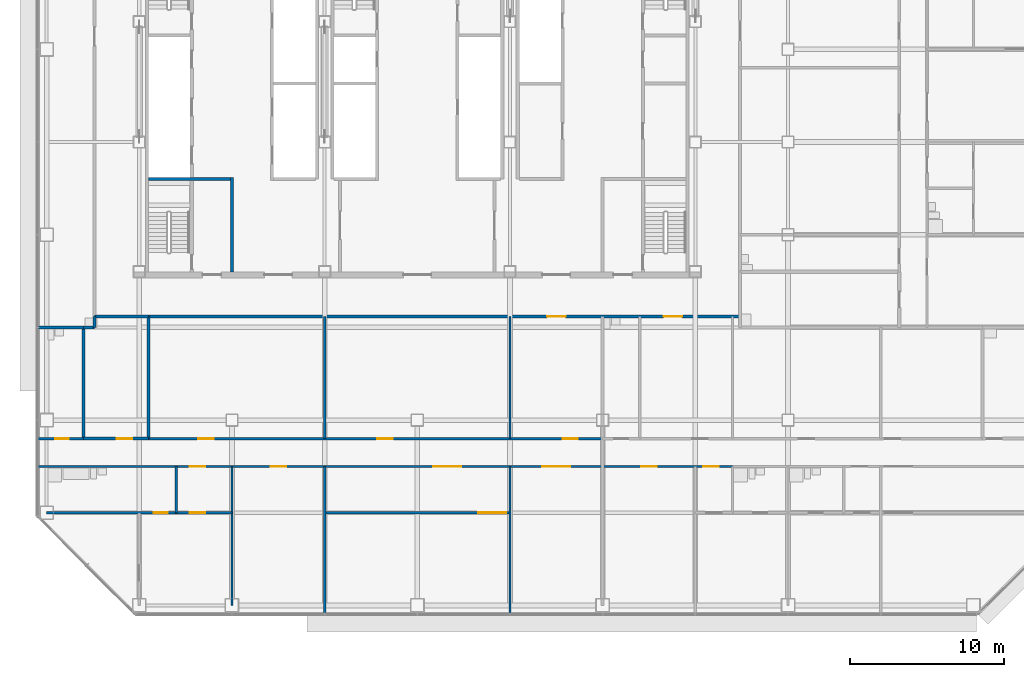
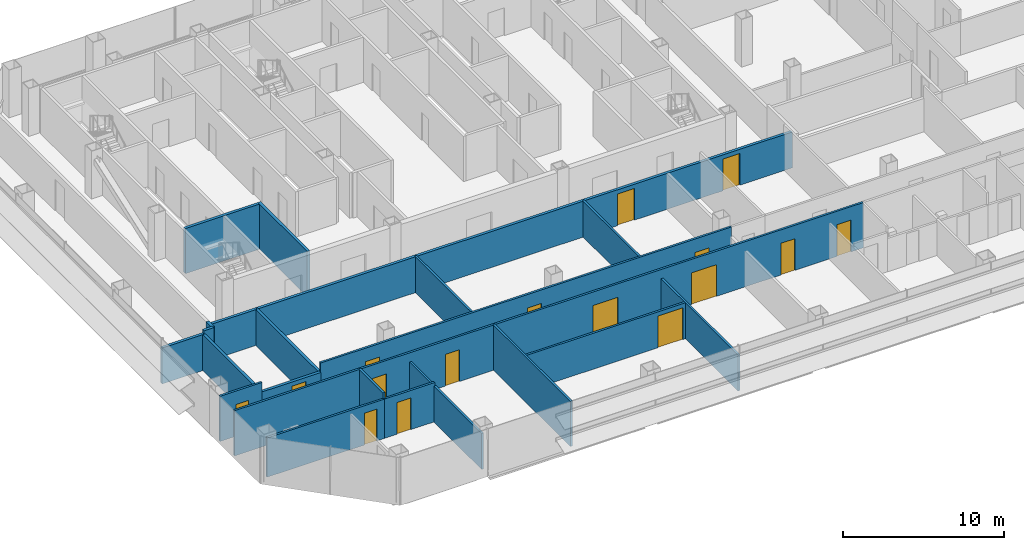
# One storey, part 20 of 27: 23 walls, 16 doors, 16 openings.
"""IFC4 building model written with IfcOpenShell, lengths in metres."""

from ifc_helpers import new_model, si_unit, direction, frame, frame_2d, origin, place, context, subcontext, project, spatial, rectangle, extrude, material, layer, layer_set, type_object, element, fill, save


model = new_model("IFC4")

# Units and contexts
model_context = context("Model", 3, precision=1e-05, world=origin(), true_north=direction((0.0, 1.0)))
body_context = subcontext(model_context, "Body", "Model", "MODEL_VIEW")
ifc_project = project(units=[si_unit("LENGTHUNIT", "METRE"), si_unit("AREAUNIT", "SQUARE_METRE"), si_unit("VOLUMEUNIT", "CUBIC_METRE"), si_unit("PLANEANGLEUNIT", "RADIAN"), si_unit("MASSUNIT", "GRAM", prefix="KILO")], contexts=[model_context])

# Site, building, storey
site_placement = place(None, origin())
site = spatial("IfcSite", under=ifc_project, at=site_placement, CompositionType="ELEMENT")
building_placement = place(site_placement, origin())
building = spatial("IfcBuilding", under=site, at=building_placement, Name="Sorahane Residences", CompositionType="ELEMENT")
storey_placement = place(building_placement, frame((0.0, 0.0, 57.0)))
storey = spatial("IfcBuildingStorey", under=building, at=storey_placement, Name="L10", CompositionType="ELEMENT", Elevation=57.0)

# Wall
ifc_material_1 = material(Name="Concrete blockwork C20 wall", Category="masonry")
ifc_layer_1 = layer(ifc_material_1, 0.199951171875)
ifc_layer_set_1 = layer_set([ifc_layer_1], Name="Corridor wall 200 EI 120")
wall_type_1 = type_object("IfcWallType", Name="Corridor wall 200 EI 120", PredefinedType="SOLIDWALL", material=ifc_layer_set_1)
wall_1_placement = place(storey_placement, frame((-0.60009765625, 18.0, 0.0), z_axis=(0.0, 0.0, 1.0), x_axis=(1.0, 0.0, 0.0)))
element("IfcWall", 1, at=wall_1_placement, inside=storey, type_object=wall_type_1, Name="L10 corridor wall", PredefinedType="SOLIDWALL", context=body_context, shape_type="SweptSolid", body=[
    extrude(rectangle(XDim=3.0, YDim=0.199951171875, at=frame_2d((1.5, 0.0))), origin(), (0.0, 0.0, 1.0), 2.719970703125),
])

# Wall, openings, doors
wall_2_placement = place(storey_placement, frame((6.60009765625, 18.699951171875, 0.0), z_axis=(0.0, 0.0, 1.0), x_axis=(1.0, 0.0, 0.0)))
wall_2 = element("IfcWall", 2, at=wall_2_placement, inside=storey, type_object=wall_type_1, Name="L10 corridor wall", PredefinedType="SOLIDWALL", context=body_context, shape_type="SweptSolid", body=[
    extrude(rectangle(XDim=38.2998046875, YDim=0.199951171875, at=frame_2d((19.14990234375, 0.0))), origin(), (0.0, 0.0, 1.0), 2.719970703125),
])
opening_1_placement = place(wall_2_placement, frame((25.800048828125, 0.0, 0.0)))
opening_1 = element("IfcOpeningElement", 3, at=opening_1_placement, cuts=wall_2, Name="Opening L10-40", PredefinedType="OPENING", context=body_context, shape_type="SweptSolid", body=[
    extrude(rectangle(XDim=1.199951171875, YDim=2.39990234375, at=frame_2d((0.60009765625, 1.199951171875))), frame((0.0, 0.10986328125, 0.0), z_axis=(0.0, -1.0, 0.0), x_axis=(1.0, 0.0, 0.0)), (0.0, 0.0, 1.0), 0.219970703125),
])
opening_2_placement = place(wall_2_placement, frame((33.340087890625, 0.0, 0.0)))
opening_2 = element("IfcOpeningElement", 4, at=opening_2_placement, cuts=wall_2, Name="Opening L10-41", PredefinedType="OPENING", context=body_context, shape_type="SweptSolid", body=[
    extrude(rectangle(XDim=1.199951171875, YDim=2.39990234375, at=frame_2d((0.60009765625, 1.199951171875))), frame((0.0, 0.10986328125, 0.0), z_axis=(0.0, -1.0, 0.0), x_axis=(1.0, 0.0, 0.0)), (0.0, 0.0, 1.0), 0.219970703125),
])
ifc_material_2 = material(Name="Timber veneered fire door", Category="wood")
door_type_1 = type_object("IfcDoorType", Name="Flat entrance door 1200x2400 FD60", OperationType="NOTDEFINED", PredefinedType="DOOR", material=ifc_material_2)
door_1_placement = place(opening_1_placement, frame((1.199951171875, 0.0, 0.0), z_axis=(0.0, 0.0, 1.0), x_axis=(-1.0, 0.0, 0.0)))
door_1 = element("IfcDoor", 5, at=door_1_placement, inside=storey, type_object=door_type_1, Name="Flat entrance door L10-40", OperationType="SINGLE_SWING_RIGHT", OverallHeight=2.39990234375, OverallWidth=1.199951171875, PredefinedType="DOOR", context=body_context, shape_type="SweptSolid", body=[
    extrude(rectangle(XDim=1.199951171875, YDim=2.39990234375, at=frame_2d((0.60009765625, 1.199951171875))), frame((0.0, 0.02490234375, 0.0), z_axis=(0.0, -1.0, 0.0), x_axis=(1.0, 0.0, 0.0)), (0.0, 0.0, 1.0), 0.050048828125),
])
fill(opening_1, door_1)
door_2_placement = place(opening_2_placement, frame((1.199951171875, 0.0, 0.0), z_axis=(0.0, 0.0, 1.0), x_axis=(-1.0, 0.0, 0.0)))
door_2 = element("IfcDoor", 6, at=door_2_placement, inside=storey, type_object=door_type_1, Name="Flat entrance door L10-41", OperationType="SINGLE_SWING_RIGHT", OverallHeight=2.39990234375, OverallWidth=1.199951171875, PredefinedType="DOOR", context=body_context, shape_type="SweptSolid", body=[
    extrude(rectangle(XDim=1.199951171875, YDim=2.39990234375, at=frame_2d((0.60009765625, 1.199951171875))), frame((0.0, 0.02490234375, 0.0), z_axis=(0.0, -1.0, 0.0), x_axis=(1.0, 0.0, 0.0)), (0.0, 0.0, 1.0), 0.050048828125),
])
fill(opening_2, door_2)

# Walls
ifc_material_3 = material(Name="Concrete C30", Category="concrete")
ifc_layer_2 = layer(ifc_material_3, 0.199951171875)
ifc_layer_set_2 = layer_set([ifc_layer_2], Name="Front room wall 200 EI 120")
wall_type_2 = type_object("IfcWallType", Name="Front room wall 200 EI 120", PredefinedType="PARTITIONING", material=ifc_layer_set_2)
wall_3_placement = place(storey_placement, frame((12.0, 21.60009765625, 0.0), z_axis=(0.0, 0.0, 1.0), x_axis=(0.0, 1.0, 0.0)))
element("IfcWall", 7, at=wall_3_placement, inside=storey, type_object=wall_type_2, Name="L10 front room wall", PredefinedType="PARTITIONING", context=body_context, shape_type="SweptSolid", body=[
    extrude(rectangle(XDim=6.099853515625, YDim=0.199951171875, at=frame_2d((3.0498046875, 0.0))), origin(), (0.0, 0.0, 1.0), 3.419921875),
])
ifc_material_4 = material(Name="Concrete blockwork C20 wall", Category="masonry")
ifc_layer_3 = layer(ifc_material_4, 0.199951171875)
ifc_layer_set_3 = layer_set([ifc_layer_3], Name="Kitchen wall 200 EI 180")
wall_type_3 = type_object("IfcWallType", Name="Kitchen wall 200 EI 180", PredefinedType="SOLIDWALL", material=ifc_layer_set_3)
wall_4_placement = place(storey_placement, frame((2.39990234375, 10.800048828125, 0.0), z_axis=(0.0, 0.0, 1.0), x_axis=(0.0, 1.0, 0.0)))
element("IfcWall", 8, at=wall_4_placement, inside=storey, type_object=wall_type_3, Name="L10 kitchen wall", PredefinedType="SOLIDWALL", context=body_context, shape_type="SweptSolid", body=[
    extrude(rectangle(XDim=7.199951171875, YDim=0.199951171875, at=frame_2d((3.60009765625, 0.0))), origin(), (0.0, 0.0, 1.0), 2.719970703125),
])
wall_5_placement = place(storey_placement, frame((3.10009765625, 18.0, 0.0), z_axis=(0.0, 0.0, 1.0), x_axis=(0.0, 1.0, 0.0)))
element("IfcWall", 9, at=wall_5_placement, inside=storey, type_object=wall_type_3, Name="L10 kitchen wall", PredefinedType="SOLIDWALL", context=body_context, shape_type="SweptSolid", body=[
    extrude(rectangle(XDim=0.699951171875, YDim=0.199951171875, at=frame_2d((0.35009765625, 0.0))), origin(), (0.0, 0.0, 1.0), 2.969970703125),
])
wall_6_placement = place(storey_placement, frame((6.60009765625, 10.800048828125, 0.0), z_axis=(0.0, 0.0, 1.0), x_axis=(0.0, 1.0, 0.0)))
element("IfcWall", 10, at=wall_6_placement, inside=storey, type_object=wall_type_3, Name="L10 kitchen wall", PredefinedType="SOLIDWALL", context=body_context, shape_type="SweptSolid", body=[
    extrude(rectangle(XDim=7.89990234375, YDim=0.199951171875, at=frame_2d((3.949951171875, 0.0))), origin(), (0.0, 0.0, 1.0), 2.719970703125),
])

# Wall, opening, door
wall_7_placement = place(storey_placement, frame((2.39990234375, 10.800048828125, 0.0), z_axis=(0.0, 0.0, 1.0), x_axis=(1.0, 0.0, 0.0)))
wall_7 = element("IfcWall", 11, at=wall_7_placement, inside=storey, type_object=wall_type_3, Name="L10 kitchen wall", PredefinedType="SOLIDWALL", context=body_context, shape_type="SweptSolid", body=[
    extrude(rectangle(XDim=4.2001953125, YDim=0.199951171875, at=frame_2d((2.10009765625, 0.0))), origin(), (0.0, 0.0, 1.0), 2.719970703125),
])
opening_3_placement = place(wall_7_placement, frame((2.139892578125, 0.0, 0.0)))
opening_3 = element("IfcOpeningElement", 12, at=opening_3_placement, cuts=wall_7, Name="Opening L10-03", PredefinedType="OPENING", context=body_context, shape_type="SweptSolid", body=[
    extrude(rectangle(XDim=1.0, YDim=2.39990234375, at=frame_2d((0.5, 1.199951171875))), frame((0.0, 0.10986328125, 0.0), z_axis=(0.0, -1.0, 0.0), x_axis=(1.0, 0.0, 0.0)), (0.0, 0.0, 1.0), 0.219970703125),
])
ifc_material_5 = material(Name="Steel", Category="steel")
door_type_2 = type_object("IfcDoorType", Name="Kitchen door 1000x2400 FD120", OperationType="NOTDEFINED", PredefinedType="DOOR", material=ifc_material_5)
door_3_placement = place(opening_3_placement, origin())
door_3 = element("IfcDoor", 13, at=door_3_placement, inside=storey, type_object=door_type_2, Name="Kitchen door L10-03", OperationType="SINGLE_SWING_LEFT", OverallHeight=2.39990234375, OverallWidth=1.0, PredefinedType="DOOR", context=body_context, shape_type="SweptSolid", body=[
    extrude(rectangle(XDim=1.0, YDim=2.39990234375, at=frame_2d((0.5, 1.199951171875))), frame((0.0, 0.02490234375, 0.0), z_axis=(0.0, -1.0, 0.0), x_axis=(1.0, 0.0, 0.0)), (0.0, 0.0, 1.0), 0.050048828125),
])
fill(opening_3, door_3)

# Walls
wall_8_placement = place(storey_placement, frame((2.39990234375, 18.0, 0.0), z_axis=(0.0, 0.0, 1.0), x_axis=(1.0, 0.0, 0.0)))
element("IfcWall", 14, at=wall_8_placement, inside=storey, type_object=wall_type_3, Name="L10 kitchen wall", PredefinedType="SOLIDWALL", context=body_context, shape_type="SweptSolid", body=[
    extrude(rectangle(XDim=0.7001953125, YDim=0.199951171875, at=frame_2d((0.35009765625, 0.0))), origin(), (0.0, 0.0, 1.0), 2.969970703125),
])
wall_9_placement = place(storey_placement, frame((3.10009765625, 18.699951171875, 0.0), z_axis=(0.0, 0.0, 1.0), x_axis=(1.0, 0.0, 0.0)))
element("IfcWall", 15, at=wall_9_placement, inside=storey, type_object=wall_type_3, Name="L10 kitchen wall", PredefinedType="SOLIDWALL", context=body_context, shape_type="SweptSolid", body=[
    extrude(rectangle(XDim=3.5, YDim=0.199951171875, at=frame_2d((1.75, 0.0))), origin(), (0.0, 0.0, 1.0), 2.719970703125),
])
ifc_material_6 = material(Name="Gypsum board partition on steel studs", Category="steel")
ifc_layer_4 = layer(ifc_material_6, 0.14990234375)
ifc_layer_set_4 = layer_set([ifc_layer_4], Name="Partition 150 EI 90")
wall_type_4 = type_object("IfcWallType", Name="Partition 150 EI 90", PredefinedType="PARTITIONING", material=ifc_layer_set_4)
wall_10_placement = place(storey_placement, frame((12.0, 0.0, 0.0), z_axis=(0.0, 0.0, 1.0), x_axis=(0.0, 1.0, 0.0)))
element("IfcWall", 16, at=wall_10_placement, inside=storey, type_object=wall_type_4, Name="L10 partition", PredefinedType="PARTITIONING", context=body_context, shape_type="SweptSolid", body=[
    extrude(rectangle(XDim=9.0, YDim=0.14990234375, at=frame_2d((4.5, 0.0))), origin(), (0.0, 0.0, 1.0), 2.719970703125),
])
wall_11_placement = place(storey_placement, frame((18.0, -0.60009765625, 0.0), z_axis=(0.0, 0.0, 1.0), x_axis=(0.0, 1.0, 0.0)))
element("IfcWall", 17, at=wall_11_placement, inside=storey, type_object=wall_type_4, Name="L10 partition", PredefinedType="PARTITIONING", context=body_context, shape_type="SweptSolid", body=[
    extrude(rectangle(XDim=9.60009765625, YDim=0.14990234375, at=frame_2d((4.800048828125, 0.0))), origin(), (0.0, 0.0, 1.0), 3.419921875),
])
wall_12_placement = place(storey_placement, frame((18.0, 10.800048828125, 0.0), z_axis=(0.0, 0.0, 1.0), x_axis=(0.0, 1.0, 0.0)))
element("IfcWall", 18, at=wall_12_placement, inside=storey, type_object=wall_type_4, Name="L10 partition", PredefinedType="PARTITIONING", context=body_context, shape_type="SweptSolid", body=[
    extrude(rectangle(XDim=7.89990234375, YDim=0.14990234375, at=frame_2d((3.949951171875, 0.0))), origin(), (0.0, 0.0, 1.0), 2.719970703125),
])
wall_13_placement = place(storey_placement, frame((30.0, -0.60009765625, 0.0), z_axis=(0.0, 0.0, 1.0), x_axis=(0.0, 1.0, 0.0)))
element("IfcWall", 19, at=wall_13_placement, inside=storey, type_object=wall_type_4, Name="L10 partition", PredefinedType="PARTITIONING", context=body_context, shape_type="SweptSolid", body=[
    extrude(rectangle(XDim=9.60009765625, YDim=0.14990234375, at=frame_2d((4.800048828125, 0.0))), origin(), (0.0, 0.0, 1.0), 2.719970703125),
])
wall_14_placement = place(storey_placement, frame((30.0, 10.800048828125, 0.0), z_axis=(0.0, 0.0, 1.0), x_axis=(0.0, 1.0, 0.0)))
element("IfcWall", 20, at=wall_14_placement, inside=storey, type_object=wall_type_4, Name="L10 partition", PredefinedType="PARTITIONING", context=body_context, shape_type="SweptSolid", body=[
    extrude(rectangle(XDim=7.89990234375, YDim=0.14990234375, at=frame_2d((3.949951171875, 0.0))), origin(), (0.0, 0.0, 1.0), 2.719970703125),
])

# Wall, openings, doors
wall_15_placement = place(storey_placement, frame((6.60009765625, 10.800048828125, 0.0), z_axis=(0.0, 0.0, 1.0), x_axis=(1.0, 0.0, 0.0)))
wall_15 = element("IfcWall", 21, at=wall_15_placement, inside=storey, type_object=wall_type_4, Name="L10 partition", PredefinedType="PARTITIONING", context=body_context, shape_type="SweptSolid", body=[
    extrude(rectangle(XDim=29.39990234375, YDim=0.14990234375, at=frame_2d((14.699951171875, 0.0))), origin(), (0.0, 0.0, 1.0), 3.419921875),
])
opening_4_placement = place(wall_15_placement, frame((26.800048828125, 0.0, 0.0)))
opening_4 = element("IfcOpeningElement", 22, at=opening_4_placement, cuts=wall_15, Name="Opening L10-01", PredefinedType="OPENING", context=body_context, shape_type="SweptSolid", body=[
    extrude(rectangle(XDim=1.0, YDim=2.39990234375, at=frame_2d((0.5, 1.199951171875))), frame((0.0, 0.0849609375, 0.0), z_axis=(0.0, -1.0, 0.0), x_axis=(1.0, 0.0, 0.0)), (0.0, 0.0, 1.0), 0.169921875),
])
opening_5_placement = place(wall_15_placement, frame((3.219970703125, 0.0, 0.0)))
opening_5 = element("IfcOpeningElement", 23, at=opening_5_placement, cuts=wall_15, Name="Opening L10-04", PredefinedType="OPENING", context=body_context, shape_type="SweptSolid", body=[
    extrude(rectangle(XDim=1.0, YDim=2.39990234375, at=frame_2d((0.5, 1.199951171875))), frame((0.0, 0.0849609375, 0.0), z_axis=(0.0, -1.0, 0.0), x_axis=(1.0, 0.0, 0.0)), (0.0, 0.0, 1.0), 0.169921875),
])
opening_6_placement = place(wall_15_placement, frame((14.800048828125, 0.0, 0.0)))
opening_6 = element("IfcOpeningElement", 24, at=opening_6_placement, cuts=wall_15, Name="Opening L10-05", PredefinedType="OPENING", context=body_context, shape_type="SweptSolid", body=[
    extrude(rectangle(XDim=1.0, YDim=2.39990234375, at=frame_2d((0.5, 1.199951171875))), frame((0.0, 0.0849609375, 0.0), z_axis=(0.0, -1.0, 0.0), x_axis=(1.0, 0.0, 0.0)), (0.0, 0.0, 1.0), 0.169921875),
])
ifc_material_7 = material(Name="Timber veneered fire door", Category="wood")
door_type_3 = type_object("IfcDoorType", Name="Room door 1000x2400 FD30", OperationType="NOTDEFINED", PredefinedType="DOOR", material=ifc_material_7)
door_4_placement = place(opening_4_placement, frame((1.0, 0.0, 0.0), z_axis=(0.0, 0.0, 1.0), x_axis=(-1.0, 0.0, 0.0)))
door_4 = element("IfcDoor", 25, at=door_4_placement, inside=storey, type_object=door_type_3, Name="Room door L10-01", OperationType="SINGLE_SWING_LEFT", OverallHeight=2.39990234375, OverallWidth=1.0, PredefinedType="DOOR", context=body_context, shape_type="SweptSolid", body=[
    extrude(rectangle(XDim=1.0, YDim=2.39990234375, at=frame_2d((0.5, 1.199951171875))), frame((0.0, 0.02490234375, 0.0), z_axis=(0.0, -1.0, 0.0), x_axis=(1.0, 0.0, 0.0)), (0.0, 0.0, 1.0), 0.050048828125),
])
fill(opening_4, door_4)
door_5_placement = place(opening_5_placement, origin())
door_5 = element("IfcDoor", 26, at=door_5_placement, inside=storey, type_object=door_type_3, Name="Room door L10-04", OperationType="SINGLE_SWING_LEFT", OverallHeight=2.39990234375, OverallWidth=1.0, PredefinedType="DOOR", context=body_context, shape_type="SweptSolid", body=[
    extrude(rectangle(XDim=1.0, YDim=2.39990234375, at=frame_2d((0.5, 1.199951171875))), frame((0.0, 0.02490234375, 0.0), z_axis=(0.0, -1.0, 0.0), x_axis=(1.0, 0.0, 0.0)), (0.0, 0.0, 1.0), 0.050048828125),
])
fill(opening_5, door_5)
door_6_placement = place(opening_6_placement, origin())
door_6 = element("IfcDoor", 27, at=door_6_placement, inside=storey, type_object=door_type_3, Name="Room door L10-05", OperationType="SINGLE_SWING_LEFT", OverallHeight=2.39990234375, OverallWidth=1.0, PredefinedType="DOOR", context=body_context, shape_type="SweptSolid", body=[
    extrude(rectangle(XDim=1.0, YDim=2.39990234375, at=frame_2d((0.5, 1.199951171875))), frame((0.0, 0.02490234375, 0.0), z_axis=(0.0, -1.0, 0.0), x_axis=(1.0, 0.0, 0.0)), (0.0, 0.0, 1.0), 0.050048828125),
])
fill(opening_6, door_6)

# Wall, opening, door
wall_16_placement = place(storey_placement, frame((8.39990234375, 6.0, 0.0), z_axis=(0.0, 0.0, 1.0), x_axis=(1.0, 0.0, 0.0)))
wall_16 = element("IfcWall", 28, at=wall_16_placement, inside=storey, type_object=wall_type_4, Name="L10 partition", PredefinedType="PARTITIONING", context=body_context, shape_type="SweptSolid", body=[
    extrude(rectangle(XDim=3.60009765625, YDim=0.14990234375, at=frame_2d((1.800048828125, 0.0))), origin(), (0.0, 0.0, 1.0), 2.969970703125),
])
opening_7_placement = place(wall_16_placement, frame((0.8798828125, 0.0, 0.0)))
opening_7 = element("IfcOpeningElement", 29, at=opening_7_placement, cuts=wall_16, Name="Opening L10-10", PredefinedType="OPENING", context=body_context, shape_type="SweptSolid", body=[
    extrude(rectangle(XDim=1.0, YDim=2.39990234375, at=frame_2d((0.5, 1.199951171875))), frame((0.0, 0.0849609375, 0.0), z_axis=(0.0, -1.0, 0.0), x_axis=(1.0, 0.0, 0.0)), (0.0, 0.0, 1.0), 0.169921875),
])
door_7_placement = place(opening_7_placement, frame((1.0, 0.0, 0.0), z_axis=(0.0, 0.0, 1.0), x_axis=(-1.0, 0.0, 0.0)))
door_7 = element("IfcDoor", 30, at=door_7_placement, inside=storey, type_object=door_type_3, Name="Room door L10-10", OperationType="SINGLE_SWING_RIGHT", OverallHeight=2.39990234375, OverallWidth=1.0, PredefinedType="DOOR", context=body_context, shape_type="SweptSolid", body=[
    extrude(rectangle(XDim=1.0, YDim=2.39990234375, at=frame_2d((0.5, 1.199951171875))), frame((0.0, 0.02490234375, 0.0), z_axis=(0.0, -1.0, 0.0), x_axis=(1.0, 0.0, 0.0)), (0.0, 0.0, 1.0), 0.050048828125),
])
fill(opening_7, door_7)

wall_17_placement = place(storey_placement, frame((18.0, 6.0, 0.0), z_axis=(0.0, 0.0, 1.0), x_axis=(1.0, 0.0, 0.0)))
wall_17 = element("IfcWall", 31, at=wall_17_placement, inside=storey, type_object=wall_type_4, Name="L10 partition", PredefinedType="PARTITIONING", context=body_context, shape_type="SweptSolid", body=[
    extrude(rectangle(XDim=12.0, YDim=0.14990234375, at=frame_2d((6.0, 0.0))), origin(), (0.0, 0.0, 1.0), 2.719970703125),
])
opening_8_placement = place(wall_17_placement, frame((9.949951171875, 0.0, 0.0)))
opening_8 = element("IfcOpeningElement", 32, at=opening_8_placement, cuts=wall_17, Name="Opening L10-13", PredefinedType="OPENING", context=body_context, shape_type="SweptSolid", body=[
    extrude(rectangle(XDim=1.800048828125, YDim=2.39990234375, at=frame_2d((0.89990234375, 1.199951171875))), frame((0.0, 0.0849609375, 0.0), z_axis=(0.0, -1.0, 0.0), x_axis=(1.0, 0.0, 0.0)), (0.0, 0.0, 1.0), 0.169921875),
])
ifc_material_8 = material(Name="Timber veneered fire door", Category="wood")
door_type_4 = type_object("IfcDoorType", Name="Double door 1800x2400 FD30", OperationType="NOTDEFINED", PredefinedType="DOOR", material=ifc_material_8)
door_8_placement = place(opening_8_placement, frame((1.800048828125, 0.0, 0.0), z_axis=(0.0, 0.0, 1.0), x_axis=(-1.0, 0.0, 0.0)))
door_8 = element("IfcDoor", 33, at=door_8_placement, inside=storey, type_object=door_type_4, Name="Double door L10-13", OperationType="SINGLE_SWING_LEFT", OverallHeight=2.39990234375, OverallWidth=1.800048828125, PredefinedType="DOOR", context=body_context, shape_type="SweptSolid", body=[
    extrude(rectangle(XDim=1.800048828125, YDim=2.39990234375, at=frame_2d((0.89990234375, 1.199951171875))), frame((0.0, 0.02490234375, 0.0), z_axis=(0.0, -1.0, 0.0), x_axis=(1.0, 0.0, 0.0)), (0.0, 0.0, 1.0), 0.050048828125),
])
fill(opening_8, door_8)

# Wall, openings, doors
wall_18_placement = place(storey_placement, frame((8.39990234375, 9.0, 0.0), z_axis=(0.0, 0.0, 1.0), x_axis=(1.0, 0.0, 0.0)))
wall_18 = element("IfcWall", 34, at=wall_18_placement, inside=storey, type_object=wall_type_4, Name="L10 partition", PredefinedType="PARTITIONING", context=body_context, shape_type="SweptSolid", body=[
    extrude(rectangle(XDim=36.0, YDim=0.14990234375, at=frame_2d((18.0, 0.0))), origin(), (0.0, 0.0, 1.0), 3.419921875),
])
opening_9_placement = place(wall_18_placement, frame((0.8798828125, 0.0, 0.0)))
opening_9 = element("IfcOpeningElement", 35, at=opening_9_placement, cuts=wall_18, Name="Opening L10-06", PredefinedType="OPENING", context=body_context, shape_type="SweptSolid", body=[
    extrude(rectangle(XDim=1.0, YDim=2.39990234375, at=frame_2d((0.5, 1.199951171875))), frame((0.0, 0.0849609375, 0.0), z_axis=(0.0, -1.0, 0.0), x_axis=(1.0, 0.0, 0.0)), (0.0, 0.0, 1.0), 0.169921875),
])
opening_10_placement = place(wall_18_placement, frame((6.10009765625, 0.0, 0.0)))
opening_10 = element("IfcOpeningElement", 36, at=opening_10_placement, cuts=wall_18, Name="Opening L10-07", PredefinedType="OPENING", context=body_context, shape_type="SweptSolid", body=[
    extrude(rectangle(XDim=1.0, YDim=2.39990234375, at=frame_2d((0.5, 1.199951171875))), frame((0.0, 0.0849609375, 0.0), z_axis=(0.0, -1.0, 0.0), x_axis=(1.0, 0.0, 0.0)), (0.0, 0.0, 1.0), 0.169921875),
])
opening_11_placement = place(wall_18_placement, frame((16.639892578125, 0.0, 0.0)))
opening_11 = element("IfcOpeningElement", 37, at=opening_11_placement, cuts=wall_18, Name="Opening L10-08", PredefinedType="OPENING", context=body_context, shape_type="SweptSolid", body=[
    extrude(rectangle(XDim=1.800048828125, YDim=2.39990234375, at=frame_2d((0.89990234375, 1.199951171875))), frame((0.0, 0.0849609375, 0.0), z_axis=(0.0, -1.0, 0.0), x_axis=(1.0, 0.0, 0.0)), (0.0, 0.0, 1.0), 0.169921875),
])
opening_12_placement = place(wall_18_placement, frame((23.699951171875, 0.0, 0.0)))
opening_12 = element("IfcOpeningElement", 38, at=opening_12_placement, cuts=wall_18, Name="Opening L10-09", PredefinedType="OPENING", context=body_context, shape_type="SweptSolid", body=[
    extrude(rectangle(XDim=1.800048828125, YDim=2.39990234375, at=frame_2d((0.89990234375, 1.199951171875))), frame((0.0, 0.0849609375, 0.0), z_axis=(0.0, -1.0, 0.0), x_axis=(1.0, 0.0, 0.0)), (0.0, 0.0, 1.0), 0.169921875),
])
opening_13_placement = place(wall_18_placement, frame((30.10009765625, 0.0, 0.0)))
opening_13 = element("IfcOpeningElement", 39, at=opening_13_placement, cuts=wall_18, Name="Opening L10-19", PredefinedType="OPENING", context=body_context, shape_type="SweptSolid", body=[
    extrude(rectangle(XDim=1.0, YDim=2.39990234375, at=frame_2d((0.5, 1.199951171875))), frame((0.0, 0.0849609375, 0.0), z_axis=(0.0, -1.0, 0.0), x_axis=(1.0, 0.0, 0.0)), (0.0, 0.0, 1.0), 0.169921875),
])
opening_14_placement = place(wall_18_placement, frame((34.1201171875, 0.0, 0.0)))
opening_14 = element("IfcOpeningElement", 40, at=opening_14_placement, cuts=wall_18, Name="Opening L10-20", PredefinedType="OPENING", context=body_context, shape_type="SweptSolid", body=[
    extrude(rectangle(XDim=1.0, YDim=2.39990234375, at=frame_2d((0.5, 1.199951171875))), frame((0.0, 0.0849609375, 0.0), z_axis=(0.0, -1.0, 0.0), x_axis=(1.0, 0.0, 0.0)), (0.0, 0.0, 1.0), 0.169921875),
])
door_9_placement = place(opening_11_placement, frame((1.800048828125, 0.0, 0.0), z_axis=(0.0, 0.0, 1.0), x_axis=(-1.0, 0.0, 0.0)))
door_9 = element("IfcDoor", 41, at=door_9_placement, inside=storey, type_object=door_type_4, Name="Double door L10-08", OperationType="SINGLE_SWING_RIGHT", OverallHeight=2.39990234375, OverallWidth=1.800048828125, PredefinedType="DOOR", context=body_context, shape_type="SweptSolid", body=[
    extrude(rectangle(XDim=1.800048828125, YDim=2.39990234375, at=frame_2d((0.89990234375, 1.199951171875))), frame((0.0, 0.02490234375, 0.0), z_axis=(0.0, -1.0, 0.0), x_axis=(1.0, 0.0, 0.0)), (0.0, 0.0, 1.0), 0.050048828125),
])
fill(opening_11, door_9)
door_10_placement = place(opening_12_placement, frame((1.800048828125, 0.0, 0.0), z_axis=(0.0, 0.0, 1.0), x_axis=(-1.0, 0.0, 0.0)))
door_10 = element("IfcDoor", 42, at=door_10_placement, inside=storey, type_object=door_type_4, Name="Double door L10-09", OperationType="SINGLE_SWING_LEFT", OverallHeight=2.39990234375, OverallWidth=1.800048828125, PredefinedType="DOOR", context=body_context, shape_type="SweptSolid", body=[
    extrude(rectangle(XDim=1.800048828125, YDim=2.39990234375, at=frame_2d((0.89990234375, 1.199951171875))), frame((0.0, 0.02490234375, 0.0), z_axis=(0.0, -1.0, 0.0), x_axis=(1.0, 0.0, 0.0)), (0.0, 0.0, 1.0), 0.050048828125),
])
fill(opening_12, door_10)
door_11_placement = place(opening_9_placement, frame((1.0, 0.0, 0.0), z_axis=(0.0, 0.0, 1.0), x_axis=(-1.0, 0.0, 0.0)))
door_11 = element("IfcDoor", 43, at=door_11_placement, inside=storey, type_object=door_type_3, Name="Room door L10-06", OperationType="SINGLE_SWING_LEFT", OverallHeight=2.39990234375, OverallWidth=1.0, PredefinedType="DOOR", context=body_context, shape_type="SweptSolid", body=[
    extrude(rectangle(XDim=1.0, YDim=2.39990234375, at=frame_2d((0.5, 1.199951171875))), frame((0.0, 0.02490234375, 0.0), z_axis=(0.0, -1.0, 0.0), x_axis=(1.0, 0.0, 0.0)), (0.0, 0.0, 1.0), 0.050048828125),
])
fill(opening_9, door_11)
door_12_placement = place(opening_10_placement, frame((1.0, 0.0, 0.0), z_axis=(0.0, 0.0, 1.0), x_axis=(-1.0, 0.0, 0.0)))
door_12 = element("IfcDoor", 44, at=door_12_placement, inside=storey, type_object=door_type_3, Name="Room door L10-07", OperationType="SINGLE_SWING_RIGHT", OverallHeight=2.39990234375, OverallWidth=1.0, PredefinedType="DOOR", context=body_context, shape_type="SweptSolid", body=[
    extrude(rectangle(XDim=1.0, YDim=2.39990234375, at=frame_2d((0.5, 1.199951171875))), frame((0.0, 0.02490234375, 0.0), z_axis=(0.0, -1.0, 0.0), x_axis=(1.0, 0.0, 0.0)), (0.0, 0.0, 1.0), 0.050048828125),
])
fill(opening_10, door_12)
door_13_placement = place(opening_13_placement, frame((1.0, 0.0, 0.0), z_axis=(0.0, 0.0, 1.0), x_axis=(-1.0, 0.0, 0.0)))
door_13 = element("IfcDoor", 45, at=door_13_placement, inside=storey, type_object=door_type_3, Name="Room door L10-19", OperationType="SINGLE_SWING_LEFT", OverallHeight=2.39990234375, OverallWidth=1.0, PredefinedType="DOOR", context=body_context, shape_type="SweptSolid", body=[
    extrude(rectangle(XDim=1.0, YDim=2.39990234375, at=frame_2d((0.5, 1.199951171875))), frame((0.0, 0.02490234375, 0.0), z_axis=(0.0, -1.0, 0.0), x_axis=(1.0, 0.0, 0.0)), (0.0, 0.0, 1.0), 0.050048828125),
])
fill(opening_13, door_13)
door_14_placement = place(opening_14_placement, frame((1.0, 0.0, 0.0), z_axis=(0.0, 0.0, 1.0), x_axis=(-1.0, 0.0, 0.0)))
door_14 = element("IfcDoor", 46, at=door_14_placement, inside=storey, type_object=door_type_3, Name="Room door L10-20", OperationType="SINGLE_SWING_LEFT", OverallHeight=2.39990234375, OverallWidth=1.0, PredefinedType="DOOR", context=body_context, shape_type="SweptSolid", body=[
    extrude(rectangle(XDim=1.0, YDim=2.39990234375, at=frame_2d((0.5, 1.199951171875))), frame((0.0, 0.02490234375, 0.0), z_axis=(0.0, -1.0, 0.0), x_axis=(1.0, 0.0, 0.0)), (0.0, 0.0, 1.0), 0.050048828125),
])
fill(opening_14, door_14)

# Walls
ifc_material_9 = material(Name="Concrete C30", Category="concrete")
ifc_layer_5 = layer(ifc_material_9, 0.199951171875)
ifc_layer_set_5 = layer_set([ifc_layer_5], Name="Stair enclosure wall 200 EI 120")
wall_type_5 = type_object("IfcWallType", Name="Stair enclosure wall 200 EI 120", PredefinedType="SOLIDWALL", material=ifc_layer_set_5)
wall_19_placement = place(storey_placement, frame((6.60009765625, 27.60009765625, 0.0), z_axis=(0.0, 0.0, 1.0), x_axis=(1.0, 0.0, 0.0)))
element("IfcWall", 47, at=wall_19_placement, inside=storey, type_object=wall_type_5, Name="L10 stair enclosure wall", PredefinedType="SOLIDWALL", context=body_context, shape_type="SweptSolid", body=[
    extrude(rectangle(XDim=5.2998046875, YDim=0.199951171875, at=frame_2d((2.64990234375, 0.0))), origin(), (0.0, 0.0, 1.0), 3.419921875),
])
ifc_material_10 = material(Name="Gypsum board partition on steel studs", Category="steel")
ifc_layer_6 = layer(ifc_material_10, 0.14990234375)
ifc_layer_set_6 = layer_set([ifc_layer_6], Name="Wet wall 150 EI 90")
wall_type_6 = type_object("IfcWallType", Name="Wet wall 150 EI 90", PredefinedType="PARTITIONING", material=ifc_layer_set_6)
wall_20_placement = place(storey_placement, frame((8.39990234375, 6.0, 0.0), z_axis=(0.0, 0.0, 1.0), x_axis=(0.0, 1.0, 0.0)))
element("IfcWall", 48, at=wall_20_placement, inside=storey, type_object=wall_type_6, Name="L10 wet wall", PredefinedType="PARTITIONING", context=body_context, shape_type="SweptSolid", body=[
    extrude(rectangle(XDim=3.0, YDim=0.14990234375, at=frame_2d((1.5, 0.0))), origin(), (0.0, 0.0, 1.0), 3.419921875),
])

# Wall, opening, door
wall_21_placement = place(storey_placement, frame((-0.60009765625, 10.800048828125, 0.0), z_axis=(0.0, 0.0, 1.0), x_axis=(1.0, 0.0, 0.0)))
wall_21 = element("IfcWall", 49, at=wall_21_placement, inside=storey, type_object=wall_type_6, Name="L10 wet wall", PredefinedType="PARTITIONING", context=body_context, shape_type="SweptSolid", body=[
    extrude(rectangle(XDim=3.0, YDim=0.14990234375, at=frame_2d((1.5, 0.0))), origin(), (0.0, 0.0, 1.0), 3.419921875),
])
opening_15_placement = place(wall_21_placement, frame((1.14990234375, 0.0, 0.0)))
opening_15 = element("IfcOpeningElement", 50, at=opening_15_placement, cuts=wall_21, Name="Opening L10-02", PredefinedType="OPENING", context=body_context, shape_type="SweptSolid", body=[
    extrude(rectangle(XDim=0.89990234375, YDim=2.39990234375, at=frame_2d((0.449951171875, 1.199951171875))), frame((0.0, 0.0849609375, 0.0), z_axis=(0.0, -1.0, 0.0), x_axis=(1.0, 0.0, 0.0)), (0.0, 0.0, 1.0), 0.169921875),
])
ifc_material_11 = material(Name="Timber veneered fire door", Category="wood")
door_type_5 = type_object("IfcDoorType", Name="Bathroom door 900x2400 FD30", OperationType="NOTDEFINED", PredefinedType="DOOR", material=ifc_material_11)
door_15_placement = place(opening_15_placement, frame((0.89990234375, 0.0, 0.0), z_axis=(0.0, 0.0, 1.0), x_axis=(-1.0, 0.0, 0.0)))
door_15 = element("IfcDoor", 51, at=door_15_placement, inside=storey, type_object=door_type_5, Name="Bathroom door L10-02", OperationType="SINGLE_SWING_RIGHT", OverallHeight=2.39990234375, OverallWidth=0.89990234375, PredefinedType="DOOR", context=body_context, shape_type="SweptSolid", body=[
    extrude(rectangle(XDim=0.89990234375, YDim=2.39990234375, at=frame_2d((0.449951171875, 1.199951171875))), frame((0.0, 0.02490234375, 0.0), z_axis=(0.0, -1.0, 0.0), x_axis=(1.0, 0.0, 0.0)), (0.0, 0.0, 1.0), 0.050048828125),
])
fill(opening_15, door_15)

wall_22_placement = place(storey_placement, frame((0.0, 6.0, 0.0), z_axis=(0.0, 0.0, 1.0), x_axis=(1.0, 0.0, 0.0)))
wall_22 = element("IfcWall", 52, at=wall_22_placement, inside=storey, type_object=wall_type_6, Name="L10 wet wall", PredefinedType="PARTITIONING", context=body_context, shape_type="SweptSolid", body=[
    extrude(rectangle(XDim=8.39990234375, YDim=0.14990234375, at=frame_2d((4.199951171875, 0.0))), origin(), (0.0, 0.0, 1.0), 2.969970703125),
])
opening_16_placement = place(wall_22_placement, frame((6.949951171875, 0.0, 0.0)))
opening_16 = element("IfcOpeningElement", 53, at=opening_16_placement, cuts=wall_22, Name="Opening L10-12", PredefinedType="OPENING", context=body_context, shape_type="SweptSolid", body=[
    extrude(rectangle(XDim=0.89990234375, YDim=2.39990234375, at=frame_2d((0.449951171875, 1.199951171875))), frame((0.0, 0.0849609375, 0.0), z_axis=(0.0, -1.0, 0.0), x_axis=(1.0, 0.0, 0.0)), (0.0, 0.0, 1.0), 0.169921875),
])
door_16_placement = place(opening_16_placement, frame((0.89990234375, 0.0, 0.0), z_axis=(0.0, 0.0, 1.0), x_axis=(-1.0, 0.0, 0.0)))
door_16 = element("IfcDoor", 54, at=door_16_placement, inside=storey, type_object=door_type_5, Name="Bathroom door L10-12", OperationType="SINGLE_SWING_LEFT", OverallHeight=2.39990234375, OverallWidth=0.89990234375, PredefinedType="DOOR", context=body_context, shape_type="SweptSolid", body=[
    extrude(rectangle(XDim=0.89990234375, YDim=2.39990234375, at=frame_2d((0.449951171875, 1.199951171875))), frame((0.0, 0.02490234375, 0.0), z_axis=(0.0, -1.0, 0.0), x_axis=(1.0, 0.0, 0.0)), (0.0, 0.0, 1.0), 0.050048828125),
])
fill(opening_16, door_16)

# Wall
wall_23_placement = place(storey_placement, frame((-0.60009765625, 9.0, 0.0), z_axis=(0.0, 0.0, 1.0), x_axis=(1.0, 0.0, 0.0)))
element("IfcWall", 55, at=wall_23_placement, inside=storey, type_object=wall_type_6, Name="L10 wet wall", PredefinedType="PARTITIONING", context=body_context, shape_type="SweptSolid", body=[
    extrude(rectangle(XDim=9.0, YDim=0.14990234375, at=frame_2d((4.5, 0.0))), origin(), (0.0, 0.0, 1.0), 3.419921875),
])

save(model, "model.ifc")
